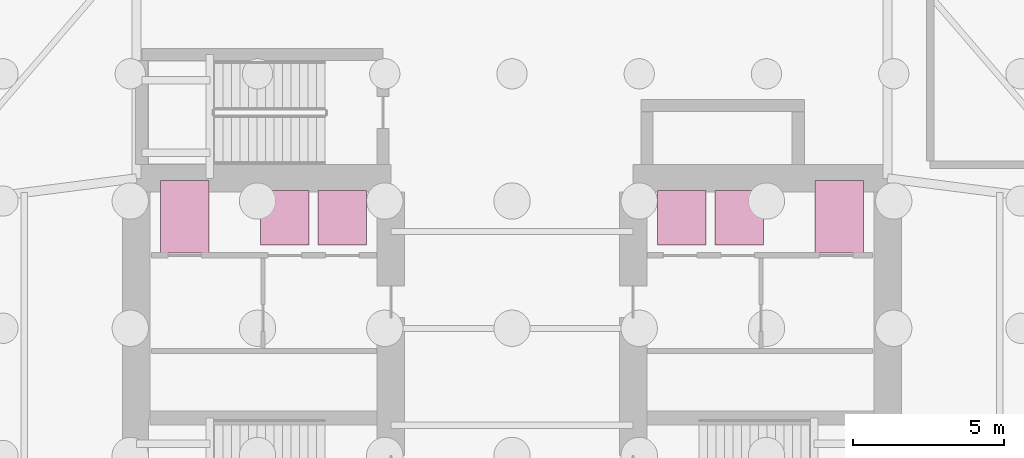
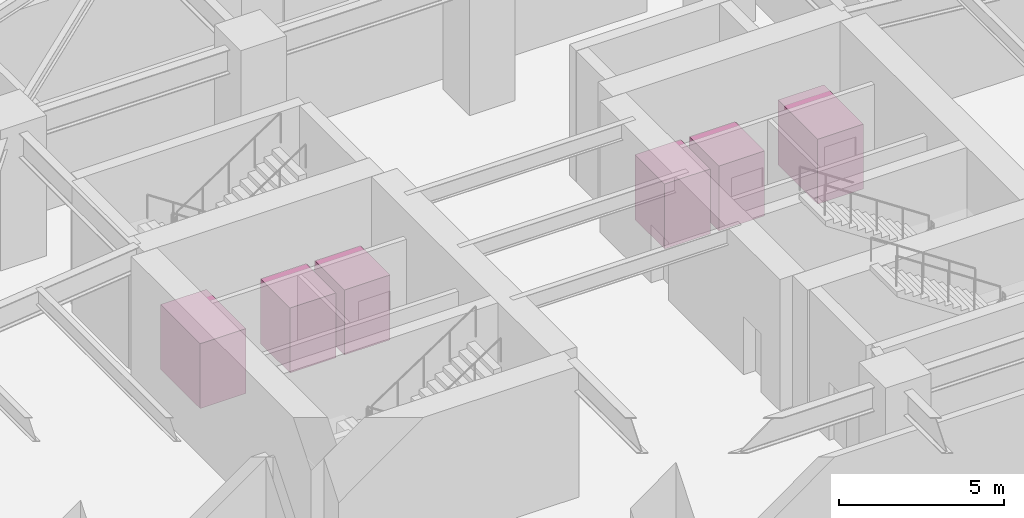
# One storey, part 14 of 14: 6 transport elements.
"""IFC4 building model written with IfcOpenShell, lengths in metres."""

import ifcopenshell
import ifcopenshell.guid

model = None  # the IFC model being written
_history = None  # IfcOwnerHistory: only IFC2X3 demands one
_inside = {}  # id of a spatial element -> (the spatial element, [elements in it])
_under = {}  # id of a project, library or spatial element -> (it, [spatial elements below it])
_declared = {}  # id of a project -> (the project, [libraries it declares])
_typed = {}  # id of a type object -> (the type object, [elements of that type])
_made_of = {}  # id of a material, layer set ... -> (it, [elements and type objects made of it])


def new_model(schema):
    """Start an empty IFC model of exactly this schema.

    Asked for "IFC4X3", IfcOpenShell would pick the latest addendum, in which some entities
    have other attributes; the version numbers below select the first issue.
    IFC2X3 requires an IfcOwnerHistory on every rooted entity: one is made here for all.
    """
    global model, _history
    if schema == "IFC4X3":
        model = ifcopenshell.file(schema_version=(4, 3, 0, 0))
    else:
        model = ifcopenshell.file(schema=schema)
    _inside.clear()
    _under.clear()
    _declared.clear()
    _typed.clear()
    _made_of.clear()
    _history = None
    if model.schema == "IFC2X3":
        org = make("IfcOrganization", Name="unknown")
        user = make(
            "IfcPersonAndOrganization",
            ThePerson=make("IfcPerson", FamilyName="unknown"),
            TheOrganization=org,
        )
        app = make(
            "IfcApplication",
            ApplicationDeveloper=org,
            Version="unknown",
            ApplicationFullName="unknown",
            ApplicationIdentifier="unknown",
        )
        _history = make(
            "IfcOwnerHistory",
            OwningUser=user,
            OwningApplication=app,
            ChangeAction="ADDED",
            CreationDate=0,
        )
    return model


def make(cls, **values):
    """One entity of the class cls with the attributes given. An attribute that is None is left unset."""
    return model.create_entity(
        cls, **{name: value for name, value in values.items() if value is not None}
    )


def rooted(cls, **values):
    """An entity with a GlobalId (a new one), such as an element, a storey or a relation."""
    return make(cls, GlobalId=ifcopenshell.guid.new(), OwnerHistory=_history, **values)


def si_unit(unit_type, name, prefix=None):
    """IfcSIUnit, for example si_unit("LENGTHUNIT", "METRE", prefix="MILLI")."""
    return make("IfcSIUnit", UnitType=unit_type, Prefix=prefix, Name=name)


def assignment(units):
    """IfcUnitAssignment: the units of a project."""
    return None if units is None else make("IfcUnitAssignment", Units=units)


def point(xyz):
    """IfcCartesianPoint."""
    return None if xyz is None else make("IfcCartesianPoint", Coordinates=xyz)


def direction(xyz):
    """IfcDirection."""
    return None if xyz is None else make("IfcDirection", DirectionRatios=xyz)


def frame(location, z_axis=None, x_axis=None):
    """IfcAxis2Placement3D, a coordinate frame: its origin and axes. An axis left out is left unset."""
    return make(
        "IfcAxis2Placement3D",
        Location=point(location),
        Axis=direction(z_axis),
        RefDirection=direction(x_axis),
    )


def frame_2d(location, x_axis=None):
    """IfcAxis2Placement2D, a coordinate frame in the plane: its origin and x axis."""
    return make(
        "IfcAxis2Placement2D", Location=point(location), RefDirection=direction(x_axis)
    )


def origin():
    """The frame at (0, 0, 0) with its axes left unset."""
    return frame((0.0, 0.0, 0.0))


def origin_2d():
    """The frame at (0, 0) in the plane with its x axis left unset."""
    return frame_2d((0.0, 0.0))


def place(relative_to, where):
    """IfcLocalPlacement: puts the frame where relative to a parent placement (None: the world)."""
    return make(
        "IfcLocalPlacement", PlacementRelTo=relative_to, RelativePlacement=where
    )


def context(
    kind, dimensions, precision=None, world=None, true_north=None, identifier=None
):
    """IfcGeometricRepresentationContext, for example the 3D "Model" context."""
    return make(
        "IfcGeometricRepresentationContext",
        ContextIdentifier=identifier,
        ContextType=kind,
        CoordinateSpaceDimension=dimensions,
        Precision=precision,
        WorldCoordinateSystem=world,
        TrueNorth=true_north,
    )


def subcontext(parent, identifier, kind, view, scale=None):
    """IfcGeometricRepresentationSubContext, for example "Body" below "Model"."""
    return make(
        "IfcGeometricRepresentationSubContext",
        ContextIdentifier=identifier,
        ContextType=kind,
        ParentContext=parent,
        TargetScale=scale,
        TargetView=view,
    )


def project(units=None, contexts=None):
    """IfcProject with its units and contexts."""
    return rooted(
        "IfcProject",
        Name="project",
        RepresentationContexts=contexts,
        UnitsInContext=assignment(units),
    )


def spatial(cls, under=None, at=None, **own):
    """A site, building, storey or space (cls), placed at a placement, below another one or the project."""
    s = rooted(cls, ObjectPlacement=at, **own)
    if under is not None:
        _under.setdefault(under.id(), (under, []))[1].append(s)
    return s


def profile(cls, at=None, kind="AREA", **sizes):
    """A parametric profile (cls). Its sizes go by their IFC names, for example OverallWidth=200.0."""
    return make(cls, ProfileType=kind, Position=at, **sizes)


def rectangle(**sizes):
    """IfcRectangleProfileDef."""
    return profile("IfcRectangleProfileDef", **sizes)


def extrude(swept, where, along, depth):
    """IfcExtrudedAreaSolid: the profile swept, set in the frame where, extruded along a direction by depth."""
    return make(
        "IfcExtrudedAreaSolid",
        SweptArea=swept,
        Position=where,
        ExtrudedDirection=direction(along),
        Depth=depth,
    )


def shape(context_of_items, identifier, shape_type, items):
    """IfcShapeRepresentation: the items that make up one representation, for example the "Body"."""
    return make(
        "IfcShapeRepresentation",
        ContextOfItems=context_of_items,
        RepresentationIdentifier=identifier,
        RepresentationType=shape_type,
        Items=items,
    )


def material(Name=None, Category=None):
    """IfcMaterial."""
    return make("IfcMaterial", Name=Name, Category=Category)


def made_of(thing, what):
    """Note that an element or type object is made of a material, layer set ...; save() writes the relation."""
    if what is not None:
        _made_of.setdefault(what.id(), (what, []))[1].append(thing)
    return thing


def type_object(cls, material=None, **own):
    """A type object (cls), such as IfcWallType, which elements share."""
    return made_of(rooted(cls, **own), material)


def element(
    cls,
    number,
    at=None,
    inside=None,
    cuts=None,
    type_object=None,
    material=None,
    context=None,
    identifier="Body",
    shape_type=None,
    held_by="IfcProductDefinitionShape",
    body=None,
    shapes=None,
    **own,
):
    """One element of the class cls, such as IfcWall. Its Tag is "e" and its number.

    at: its placement. inside: the storey or other place that contains it. cuts: it is an
    opening in that element (IfcRelVoidsElement). A single representation is given by context,
    identifier, shape_type and body (its items); several are given by shapes. held_by: the class
    of the entity that holds the representations. save() writes the other relations.
    """
    e = rooted(cls, Tag="e%d" % number, ObjectPlacement=at, **own)
    if body is not None:
        shapes = [shape(context, identifier, shape_type, body)]
    if shapes is not None:
        e.Representation = make(held_by, Representations=shapes)
    if inside is not None:
        _inside.setdefault(inside.id(), (inside, []))[1].append(e)
    if cuts is not None:
        rooted(
            "IfcRelVoidsElement", RelatingBuildingElement=cuts, RelatedOpeningElement=e
        )
    if type_object is not None:
        _typed.setdefault(type_object.id(), (type_object, []))[1].append(e)
    return made_of(e, material)


def aggregate(whole, parts):
    """IfcRelAggregates: a whole, such as a stair, and the parts it consists of."""
    return rooted("IfcRelAggregates", RelatingObject=whole, RelatedObjects=parts)


def save(model, path):
    """Write the relations noted so far, then the file.

    IfcRelAggregates (storeys below a building ...), IfcRelContainedInSpatialStructure (elements
    in a storey), IfcRelDefinesByType, IfcRelAssociatesMaterial and IfcRelDeclares: one each for
    every whole, place, type object, material and project.
    """
    for whole, parts in _under.values():
        aggregate(whole, parts)
    for where, things in _inside.values():
        rooted(
            "IfcRelContainedInSpatialStructure",
            RelatedElements=things,
            RelatingStructure=where,
        )
    for kind, things in _typed.values():
        rooted("IfcRelDefinesByType", RelatedObjects=things, RelatingType=kind)
    for what, things in _made_of.values():
        rooted("IfcRelAssociatesMaterial", RelatedObjects=things, RelatingMaterial=what)
    for by, libraries in _declared.values():
        rooted("IfcRelDeclares", RelatingContext=by, RelatedDefinitions=libraries)
    model.write(path)


model = new_model("IFC4")

# Units and contexts
model_context = context("Model", 3, precision=1e-05, world=origin(), true_north=direction((0.0, 1.0)))
body_context = subcontext(model_context, "Body", "Model", "MODEL_VIEW")
ifc_project = project(units=[si_unit("LENGTHUNIT", "METRE"), si_unit("AREAUNIT", "SQUARE_METRE"), si_unit("VOLUMEUNIT", "CUBIC_METRE"), si_unit("PLANEANGLEUNIT", "RADIAN"), si_unit("MASSUNIT", "GRAM", prefix="KILO")], contexts=[model_context])

# Site, building, storey
site_placement = place(None, origin())
site = spatial("IfcSite", under=ifc_project, at=site_placement, CompositionType="ELEMENT")
building_placement = place(site_placement, origin())
building = spatial("IfcBuilding", under=site, at=building_placement, Name="Qingluan Cross Belvedere", CompositionType="ELEMENT")
storey_placement = place(building_placement, frame((0.0, 0.0, -10.39990234375)))
storey = spatial("IfcBuildingStorey", under=building, at=storey_placement, Name="B2", CompositionType="ELEMENT", Elevation=-10.39990234375)

# Transport elements
ifc_material_1 = material(Name="Fire-rated stainless steel stretcher lift cab", Category="steel")
transport_element_type_1 = type_object("IfcTransportElementType", Name="FirefightingStretcherLift_2000kg", PredefinedType="ELEVATOR", material=ifc_material_1)
for number, where, z_axis, x_axis, name in (
    (1, (-10.800048828125, 3.679931640625, 0.0), (0.0, 0.0, 1.0), (1.0, 0.0, 0.0), "Firefighting stretcher lift FL1"),
    (2, (10.800048828125, 3.679931640625, 0.0), (0.0, 0.0, 1.0), (1.0, 0.0, 0.0), "Firefighting stretcher lift FL2"),
):
    element("IfcTransportElement", number, at=place(storey_placement, frame(where, z_axis=z_axis, x_axis=x_axis)), inside=storey, type_object=transport_element_type_1, Name=name, PredefinedType="ELEVATOR", context=body_context, shape_type="SweptSolid", body=[
        extrude(rectangle(XDim=1.60009765625, YDim=2.39990234375, at=origin_2d()), origin(), (0.0, 0.0, 1.0), 2.39990234375),
    ])
ifc_material_2 = material(Name="Stainless steel passenger lift cab", Category="steel")
transport_element_type_2 = type_object("IfcTransportElementType", Name="PassengerLift_1600kg", PredefinedType="ELEVATOR", material=ifc_material_2)
for number, where, z_axis, x_axis, name in (
    (3, (-7.5, 3.64990234375, 0.0), (0.0, 0.0, 1.0), (1.0, 0.0, 0.0), "Passenger lift (low bank) LP1"),
    (4, (-5.60009765625, 3.64990234375, 0.0), (0.0, 0.0, 1.0), (1.0, 0.0, 0.0), "Passenger lift (low bank) LP2"),
    (5, (5.60009765625, 3.64990234375, 0.0), (0.0, 0.0, 1.0), (1.0, 0.0, 0.0), "Passenger lift (low bank) LP3"),
    (6, (7.5, 3.64990234375, 0.0), (0.0, 0.0, 1.0), (1.0, 0.0, 0.0), "Passenger lift (low bank) LP4"),
):
    element("IfcTransportElement", number, at=place(storey_placement, frame(where, z_axis=z_axis, x_axis=x_axis)), inside=storey, type_object=transport_element_type_2, Name=name, PredefinedType="ELEVATOR", context=body_context, shape_type="SweptSolid", body=[
        extrude(rectangle(XDim=1.60009765625, YDim=1.800048828125, at=origin_2d()), origin(), (0.0, 0.0, 1.0), 2.39990234375),
    ])

save(model, "model.ifc")
